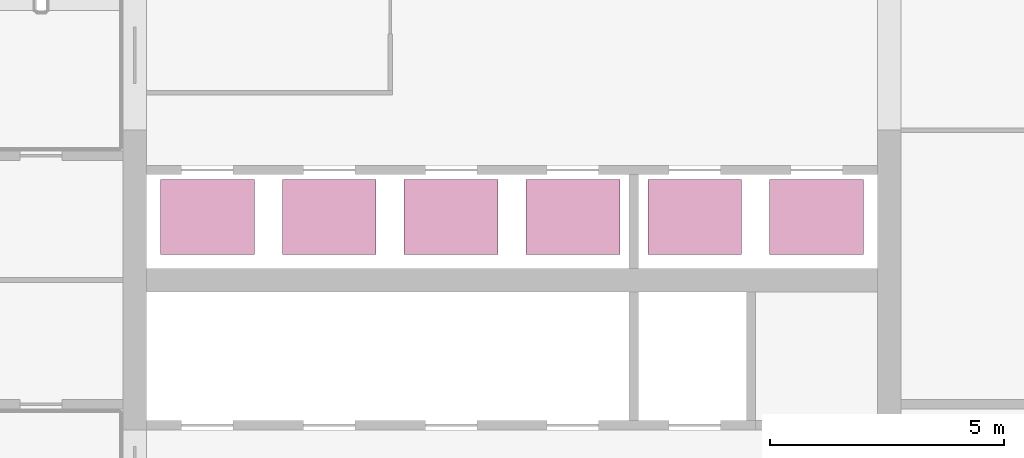
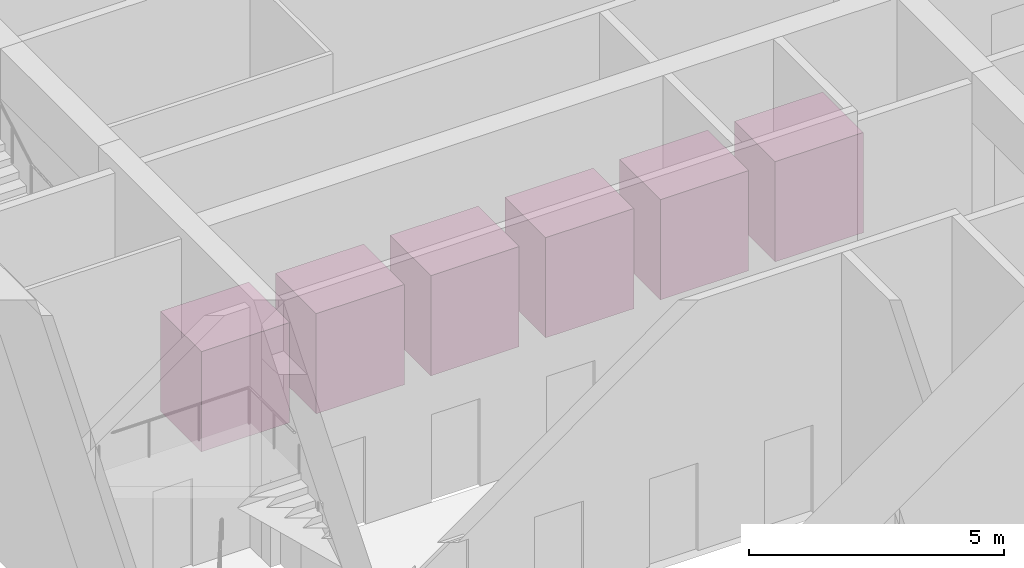
# One storey, part 23 of 23: 6 transport elements.
"""IFC4 building model written with IfcOpenShell, lengths in metres."""

from ifc_helpers import new_model, si_unit, direction, frame, origin, origin_2d, place, context, subcontext, project, spatial, rectangle, extrude, material, type_object, element, save


model = new_model("IFC4")

# Units and contexts
model_context = context("Model", 3, precision=1e-05, world=origin(), true_north=direction((0.0, 1.0)))
body_context = subcontext(model_context, "Body", "Model", "MODEL_VIEW")
ifc_project = project(units=[si_unit("LENGTHUNIT", "METRE"), si_unit("AREAUNIT", "SQUARE_METRE"), si_unit("VOLUMEUNIT", "CUBIC_METRE"), si_unit("PLANEANGLEUNIT", "RADIAN"), si_unit("MASSUNIT", "GRAM", prefix="KILO")], contexts=[model_context])

# Site, building, storey
site_placement = place(None, origin())
site = spatial("IfcSite", under=ifc_project, at=site_placement, CompositionType="ELEMENT")
building_placement = place(site_placement, origin())
building = spatial("IfcBuilding", under=site, at=building_placement, Name="Tamorin Gate", CompositionType="ELEMENT")
storey_placement = place(building_placement, frame((0.0, 0.0, 124.199951171875)))
storey = spatial("IfcBuildingStorey", under=building, at=storey_placement, Name="L30", CompositionType="ELEMENT", Elevation=124.199951171875)

# Transport elements
ifc_material = material(Name="Stainless steel lift car", Category="steel")
transport_element_type = type_object("IfcTransportElementType", Name="Lift car LR 2000 x 1600", PredefinedType="ELEVATOR", material=ifc_material)
for number, where, z_axis, x_axis, name in (
    (1, (36.300048828125, 72.60009765625, 0.0), (0.0, 0.0, 1.0), (1.0, 0.0, 0.0), "HR1 lift car"),
    (2, (38.89990234375, 72.60009765625, 0.0), (0.0, 0.0, 1.0), (1.0, 0.0, 0.0), "HR2 lift car"),
    (3, (41.5, 72.60009765625, 0.0), (0.0, 0.0, 1.0), (1.0, 0.0, 0.0), "HR3 lift car"),
    (4, (44.10009765625, 72.60009765625, 0.0), (0.0, 0.0, 1.0), (1.0, 0.0, 0.0), "HR4 lift car"),
    (5, (46.699951171875, 72.60009765625, 0.0), (0.0, 0.0, 1.0), (1.0, 0.0, 0.0), "HR5 lift car"),
    (6, (49.300048828125, 72.60009765625, 0.0), (0.0, 0.0, 1.0), (1.0, 0.0, 0.0), "HR6 lift car"),
):
    element("IfcTransportElement", number, at=place(storey_placement, frame(where, z_axis=z_axis, x_axis=x_axis)), inside=storey, type_object=transport_element_type, Name=name, PredefinedType="ELEVATOR", context=body_context, shape_type="SweptSolid", body=[
        extrude(rectangle(XDim=2.0, YDim=1.60009765625, at=origin_2d()), origin(), (0.0, 0.0, 1.0), 2.39990234375),
    ])

save(model, "model.ifc")
